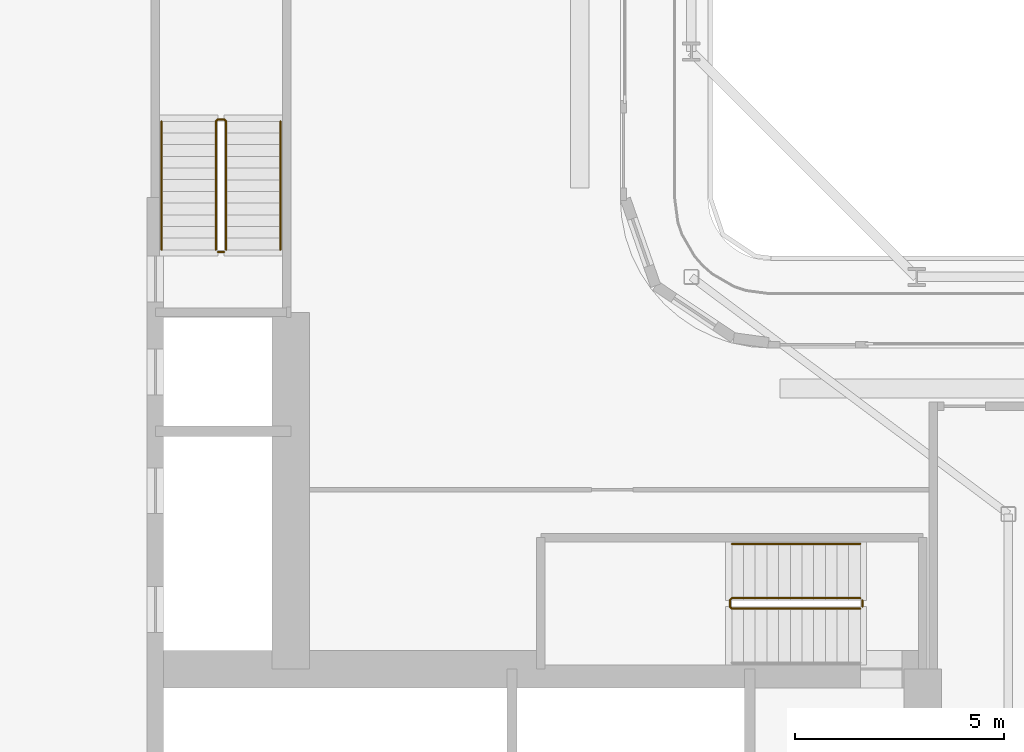
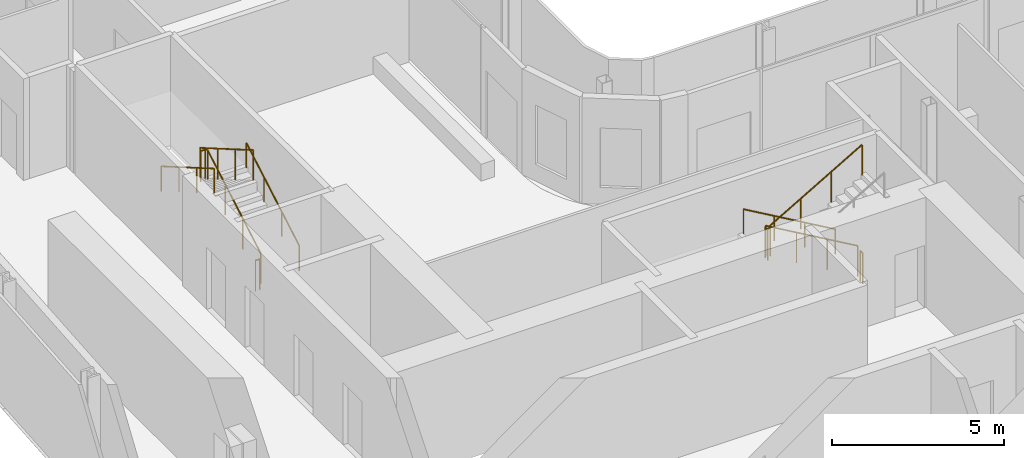
# One storey, part 21 of 26: 7 railings.
"""IFC4 building model written with IfcOpenShell, lengths in metres."""

import ifcopenshell
import ifcopenshell.guid

model = None  # the IFC model being written
_history = None  # IfcOwnerHistory: only IFC2X3 demands one
_inside = {}  # id of a spatial element -> (the spatial element, [elements in it])
_under = {}  # id of a project, library or spatial element -> (it, [spatial elements below it])
_declared = {}  # id of a project -> (the project, [libraries it declares])
_typed = {}  # id of a type object -> (the type object, [elements of that type])
_made_of = {}  # id of a material, layer set ... -> (it, [elements and type objects made of it])


def new_model(schema):
    """Start an empty IFC model of exactly this schema.

    Asked for "IFC4X3", IfcOpenShell would pick the latest addendum, in which some entities
    have other attributes; the version numbers below select the first issue.
    IFC2X3 requires an IfcOwnerHistory on every rooted entity: one is made here for all.
    """
    global model, _history
    if schema == "IFC4X3":
        model = ifcopenshell.file(schema_version=(4, 3, 0, 0))
    else:
        model = ifcopenshell.file(schema=schema)
    _inside.clear()
    _under.clear()
    _declared.clear()
    _typed.clear()
    _made_of.clear()
    _history = None
    if model.schema == "IFC2X3":
        org = make("IfcOrganization", Name="unknown")
        user = make(
            "IfcPersonAndOrganization",
            ThePerson=make("IfcPerson", FamilyName="unknown"),
            TheOrganization=org,
        )
        app = make(
            "IfcApplication",
            ApplicationDeveloper=org,
            Version="unknown",
            ApplicationFullName="unknown",
            ApplicationIdentifier="unknown",
        )
        _history = make(
            "IfcOwnerHistory",
            OwningUser=user,
            OwningApplication=app,
            ChangeAction="ADDED",
            CreationDate=0,
        )
    return model


def make(cls, **values):
    """One entity of the class cls with the attributes given. An attribute that is None is left unset."""
    return model.create_entity(
        cls, **{name: value for name, value in values.items() if value is not None}
    )


def rooted(cls, **values):
    """An entity with a GlobalId (a new one), such as an element, a storey or a relation."""
    return make(cls, GlobalId=ifcopenshell.guid.new(), OwnerHistory=_history, **values)


def si_unit(unit_type, name, prefix=None):
    """IfcSIUnit, for example si_unit("LENGTHUNIT", "METRE", prefix="MILLI")."""
    return make("IfcSIUnit", UnitType=unit_type, Prefix=prefix, Name=name)


def assignment(units):
    """IfcUnitAssignment: the units of a project."""
    return None if units is None else make("IfcUnitAssignment", Units=units)


def point(xyz):
    """IfcCartesianPoint."""
    return None if xyz is None else make("IfcCartesianPoint", Coordinates=xyz)


def direction(xyz):
    """IfcDirection."""
    return None if xyz is None else make("IfcDirection", DirectionRatios=xyz)


def frame(location, z_axis=None, x_axis=None):
    """IfcAxis2Placement3D, a coordinate frame: its origin and axes. An axis left out is left unset."""
    return make(
        "IfcAxis2Placement3D",
        Location=point(location),
        Axis=direction(z_axis),
        RefDirection=direction(x_axis),
    )


def frame_2d(location, x_axis=None):
    """IfcAxis2Placement2D, a coordinate frame in the plane: its origin and x axis."""
    return make(
        "IfcAxis2Placement2D", Location=point(location), RefDirection=direction(x_axis)
    )


def origin():
    """The frame at (0, 0, 0) with its axes left unset."""
    return frame((0.0, 0.0, 0.0))


def origin_2d():
    """The frame at (0, 0) in the plane with its x axis left unset."""
    return frame_2d((0.0, 0.0))


def place(relative_to, where):
    """IfcLocalPlacement: puts the frame where relative to a parent placement (None: the world)."""
    return make(
        "IfcLocalPlacement", PlacementRelTo=relative_to, RelativePlacement=where
    )


def context(
    kind, dimensions, precision=None, world=None, true_north=None, identifier=None
):
    """IfcGeometricRepresentationContext, for example the 3D "Model" context."""
    return make(
        "IfcGeometricRepresentationContext",
        ContextIdentifier=identifier,
        ContextType=kind,
        CoordinateSpaceDimension=dimensions,
        Precision=precision,
        WorldCoordinateSystem=world,
        TrueNorth=true_north,
    )


def subcontext(parent, identifier, kind, view, scale=None):
    """IfcGeometricRepresentationSubContext, for example "Body" below "Model"."""
    return make(
        "IfcGeometricRepresentationSubContext",
        ContextIdentifier=identifier,
        ContextType=kind,
        ParentContext=parent,
        TargetScale=scale,
        TargetView=view,
    )


def project(units=None, contexts=None):
    """IfcProject with its units and contexts."""
    return rooted(
        "IfcProject",
        Name="project",
        RepresentationContexts=contexts,
        UnitsInContext=assignment(units),
    )


def spatial(cls, under=None, at=None, **own):
    """A site, building, storey or space (cls), placed at a placement, below another one or the project."""
    s = rooted(cls, ObjectPlacement=at, **own)
    if under is not None:
        _under.setdefault(under.id(), (under, []))[1].append(s)
    return s


def profile(cls, at=None, kind="AREA", **sizes):
    """A parametric profile (cls). Its sizes go by their IFC names, for example OverallWidth=200.0."""
    return make(cls, ProfileType=kind, Position=at, **sizes)


def circle(**sizes):
    """IfcCircleProfileDef."""
    return profile("IfcCircleProfileDef", **sizes)


def extrude(swept, where, along, depth):
    """IfcExtrudedAreaSolid: the profile swept, set in the frame where, extruded along a direction by depth."""
    return make(
        "IfcExtrudedAreaSolid",
        SweptArea=swept,
        Position=where,
        ExtrudedDirection=direction(along),
        Depth=depth,
    )


def shape(context_of_items, identifier, shape_type, items):
    """IfcShapeRepresentation: the items that make up one representation, for example the "Body"."""
    return make(
        "IfcShapeRepresentation",
        ContextOfItems=context_of_items,
        RepresentationIdentifier=identifier,
        RepresentationType=shape_type,
        Items=items,
    )


def material(Name=None, Category=None):
    """IfcMaterial."""
    return make("IfcMaterial", Name=Name, Category=Category)


def made_of(thing, what):
    """Note that an element or type object is made of a material, layer set ...; save() writes the relation."""
    if what is not None:
        _made_of.setdefault(what.id(), (what, []))[1].append(thing)
    return thing


def type_object(cls, material=None, **own):
    """A type object (cls), such as IfcWallType, which elements share."""
    return made_of(rooted(cls, **own), material)


def element(
    cls,
    number,
    at=None,
    inside=None,
    cuts=None,
    type_object=None,
    material=None,
    context=None,
    identifier="Body",
    shape_type=None,
    held_by="IfcProductDefinitionShape",
    body=None,
    shapes=None,
    **own,
):
    """One element of the class cls, such as IfcWall. Its Tag is "e" and its number.

    at: its placement. inside: the storey or other place that contains it. cuts: it is an
    opening in that element (IfcRelVoidsElement). A single representation is given by context,
    identifier, shape_type and body (its items); several are given by shapes. held_by: the class
    of the entity that holds the representations. save() writes the other relations.
    """
    e = rooted(cls, Tag="e%d" % number, ObjectPlacement=at, **own)
    if body is not None:
        shapes = [shape(context, identifier, shape_type, body)]
    if shapes is not None:
        e.Representation = make(held_by, Representations=shapes)
    if inside is not None:
        _inside.setdefault(inside.id(), (inside, []))[1].append(e)
    if cuts is not None:
        rooted(
            "IfcRelVoidsElement", RelatingBuildingElement=cuts, RelatedOpeningElement=e
        )
    if type_object is not None:
        _typed.setdefault(type_object.id(), (type_object, []))[1].append(e)
    return made_of(e, material)


def aggregate(whole, parts):
    """IfcRelAggregates: a whole, such as a stair, and the parts it consists of."""
    return rooted("IfcRelAggregates", RelatingObject=whole, RelatedObjects=parts)


def save(model, path):
    """Write the relations noted so far, then the file.

    IfcRelAggregates (storeys below a building ...), IfcRelContainedInSpatialStructure (elements
    in a storey), IfcRelDefinesByType, IfcRelAssociatesMaterial and IfcRelDeclares: one each for
    every whole, place, type object, material and project.
    """
    for whole, parts in _under.values():
        aggregate(whole, parts)
    for where, things in _inside.values():
        rooted(
            "IfcRelContainedInSpatialStructure",
            RelatedElements=things,
            RelatingStructure=where,
        )
    for kind, things in _typed.values():
        rooted("IfcRelDefinesByType", RelatedObjects=things, RelatingType=kind)
    for what, things in _made_of.values():
        rooted("IfcRelAssociatesMaterial", RelatedObjects=things, RelatingMaterial=what)
    for by, libraries in _declared.values():
        rooted("IfcRelDeclares", RelatingContext=by, RelatedDefinitions=libraries)
    model.write(path)


model = new_model("IFC4")

# Units and contexts
model_context = context("Model", 3, precision=1e-05, world=origin(), true_north=direction((0.0, 1.0)))
body_context = subcontext(model_context, "Body", "Model", "MODEL_VIEW")
ifc_project = project(units=[si_unit("LENGTHUNIT", "METRE"), si_unit("AREAUNIT", "SQUARE_METRE"), si_unit("VOLUMEUNIT", "CUBIC_METRE"), si_unit("PLANEANGLEUNIT", "RADIAN"), si_unit("MASSUNIT", "GRAM", prefix="KILO")], contexts=[model_context])

# Site, building, storey
site_placement = place(None, origin())
site = spatial("IfcSite", under=ifc_project, at=site_placement, CompositionType="ELEMENT")
building_placement = place(site_placement, origin())
building = spatial("IfcBuilding", under=site, at=building_placement, Name="Kheshtan School and Residences Tower", CompositionType="ELEMENT")
storey_placement = place(building_placement, frame((0.0, 0.0, 105.800048828125)))
storey = spatial("IfcBuildingStorey", under=building, at=storey_placement, Name="L24", CompositionType="ELEMENT", Elevation=105.800048828125)

# Railings
ifc_material_1 = material(Name="Stainless steel balustrade", Category="steel")
railing_type_1 = type_object("IfcRailingType", Name="Stair guard 1100", PredefinedType="GUARDRAIL", material=ifc_material_1)
railing_1_placement = place(storey_placement, frame((51.64990234375, 37.89990234375, 0.162353515625)))
element("IfcRailing", 1, at=railing_1_placement, inside=storey, type_object=railing_type_1, Name="L24 ST1 stair guard 1", PredefinedType="GUARDRAIL", context=body_context, shape_type="SweptSolid", body=[
    extrude(circle(Radius=0.02392578125, at=origin_2d()), frame((0.0, 0.0, 1.076171875), z_axis=(-0.864873446163, 0.0, 0.501989962173), x_axis=(0.0, -1.0, 0.0)), (0.0, 0.0, 1.0), 3.56103515625),
    extrude(circle(Radius=0.02392578125, at=origin_2d()), frame((-3.079833984375, 0.0, 2.86376953125), z_axis=(-0.708833529934, -0.705375805398, 0.0), x_axis=(0.705375805398, -0.708833529934, 0.0)), (0.0, 0.0, 1.0), 0.070556640625),
    extrude(circle(Radius=0.02392578125, at=origin_2d()), frame((-3.1298828125, -0.0498046875, 2.86376953125), z_axis=(0.0, -1.0, 0.0), x_axis=(1.0, 0.0, 0.0)), (0.0, 0.0, 1.0), 0.150146484375),
    extrude(circle(Radius=0.02392578125, at=origin_2d()), frame((-3.1298828125, -0.199951171875, 2.86376953125), z_axis=(0.282227285176, -0.282227285176, 0.916894497205), x_axis=(0.707106781187, 0.707106781187, 0.0)), (0.0, 0.0, 1.0), 0.17724609375),
    extrude(circle(Radius=0.02392578125, at=origin_2d()), frame((-3.079833984375, -0.25, 3.0263671875), z_axis=(0.864903211148, 0.0, 0.501938676878), x_axis=(0.0, 1.0, 0.0)), (0.0, 0.0, 1.0), 3.560791015625),
    extrude(circle(Radius=0.02099609375, at=origin_2d()), origin(), (0.0, 0.0, 1.0), 1.052001953125),
    extrude(circle(Radius=0.02099609375, at=origin_2d()), frame((-1.026611328125, 0.0, 0.595947265625)), (0.0, 0.0, 1.0), 1.052001953125),
    extrude(circle(Radius=0.02099609375, at=origin_2d()), frame((-2.05322265625, 0.0, 1.191650390625)), (0.0, 0.0, 1.0), 1.052001953125),
    extrude(circle(Radius=0.02099609375, at=origin_2d()), frame((-3.079833984375, 0.0, 1.78759765625)), (0.0, 0.0, 1.0), 1.052001953125),
    extrude(circle(Radius=0.02099609375, at=origin_2d()), frame((-3.1298828125, -0.0498046875, 1.78759765625)), (0.0, 0.0, 1.0), 1.052001953125),
    extrude(circle(Radius=0.02099609375, at=origin_2d()), frame((-3.1298828125, -0.199951171875, 1.78759765625)), (0.0, 0.0, 1.0), 1.052001953125),
    extrude(circle(Radius=0.02099609375, at=origin_2d()), frame((-3.079833984375, -0.25, 1.9501953125)), (0.0, 0.0, 1.0), 1.052001953125),
    extrude(circle(Radius=0.02099609375, at=origin_2d()), frame((-2.05322265625, -0.25, 2.5458984375)), (0.0, 0.0, 1.0), 1.052001953125),
    extrude(circle(Radius=0.02099609375, at=origin_2d()), frame((-1.026611328125, -0.25, 3.141845703125)), (0.0, 0.0, 1.0), 1.052001953125),
    extrude(circle(Radius=0.02099609375, at=origin_2d()), frame((0.0, -0.25, 3.737548828125)), (0.0, 0.0, 1.0), 1.052001953125),
])
railing_2_placement = place(storey_placement, frame((51.699951171875, 37.85009765625, 0.0)))
element("IfcRailing", 2, at=railing_2_placement, inside=storey, type_object=railing_type_1, Name="L24 ST1 stair guard 2", PredefinedType="GUARDRAIL", context=body_context, shape_type="SweptSolid", body=[
    extrude(circle(Radius=0.02392578125, at=origin_2d()), frame((0.0, 0.0, 1.076171875), z_axis=(0.0, -1.0, 0.0), x_axis=(1.0, 0.0, 0.0)), (0.0, 0.0, 1.0), 0.150146484375),
    extrude(circle(Radius=0.02099609375, at=origin_2d()), origin(), (0.0, 0.0, 1.0), 1.052001953125),
    extrude(circle(Radius=0.02099609375, at=origin_2d()), frame((0.0, -0.150146484375, 0.0)), (0.0, 0.0, 1.0), 1.052001953125),
])
railing_3_placement = place(storey_placement, frame((36.449951171875, 46.25, 0.162353515625)))
element("IfcRailing", 3, at=railing_3_placement, inside=storey, type_object=railing_type_1, Name="L24 ST2 stair guard 1", PredefinedType="GUARDRAIL", context=body_context, shape_type="SweptSolid", body=[
    extrude(circle(Radius=0.02392578125, at=origin_2d()), frame((0.0, 0.0, 1.076171875), z_axis=(0.0, 0.864890721111, 0.501960198159), x_axis=(-1.0, 0.0, 0.0)), (0.0, 0.0, 1.0), 3.561279296875),
    extrude(circle(Radius=0.02392578125, at=origin_2d()), frame((0.0, 3.080078125, 2.86376953125), z_axis=(-0.708833529934, 0.705375805398, 0.0), x_axis=(-0.705375805398, -0.708833529934, 0.0)), (0.0, 0.0, 1.0), 0.070556640625),
    extrude(circle(Radius=0.02392578125, at=origin_2d()), frame((-0.050048828125, 3.1298828125, 2.86376953125), z_axis=(-1.0, 0.0, 0.0), x_axis=(0.0, -1.0, 0.0)), (0.0, 0.0, 1.0), 0.14990234375),
    extrude(circle(Radius=0.02392578125, at=origin_2d()), frame((-0.199951171875, 3.1298828125, 2.86376953125), z_axis=(-0.282336740067, -0.280959487676, 0.917250092119), x_axis=(0.705375805398, -0.708833529934, 0.0)), (0.0, 0.0, 1.0), 0.17724609375),
    extrude(circle(Radius=0.02392578125, at=origin_2d()), frame((-0.25, 3.080078125, 3.0263671875), z_axis=(0.0, -0.864920483161, 0.501908913857), x_axis=(1.0, 0.0, 0.0)), (0.0, 0.0, 1.0), 3.56103515625),
    extrude(circle(Radius=0.02099609375, at=origin_2d()), origin(), (0.0, 0.0, 1.0), 1.052001953125),
    extrude(circle(Radius=0.02099609375, at=origin_2d()), frame((0.0, 1.026611328125, 0.595947265625)), (0.0, 0.0, 1.0), 1.052001953125),
    extrude(circle(Radius=0.02099609375, at=origin_2d()), frame((0.0, 2.053466796875, 1.191650390625)), (0.0, 0.0, 1.0), 1.052001953125),
    extrude(circle(Radius=0.02099609375, at=origin_2d()), frame((0.0, 3.080078125, 1.78759765625)), (0.0, 0.0, 1.0), 1.052001953125),
    extrude(circle(Radius=0.02099609375, at=origin_2d()), frame((-0.050048828125, 3.1298828125, 1.78759765625)), (0.0, 0.0, 1.0), 1.052001953125),
    extrude(circle(Radius=0.02099609375, at=origin_2d()), frame((-0.199951171875, 3.1298828125, 1.78759765625)), (0.0, 0.0, 1.0), 1.052001953125),
    extrude(circle(Radius=0.02099609375, at=origin_2d()), frame((-0.25, 3.080078125, 1.9501953125)), (0.0, 0.0, 1.0), 1.052001953125),
    extrude(circle(Radius=0.02099609375, at=origin_2d()), frame((-0.25, 2.053466796875, 2.5458984375)), (0.0, 0.0, 1.0), 1.052001953125),
    extrude(circle(Radius=0.02099609375, at=origin_2d()), frame((-0.25, 1.026611328125, 3.141845703125)), (0.0, 0.0, 1.0), 1.052001953125),
    extrude(circle(Radius=0.02099609375, at=origin_2d()), frame((-0.25, 0.0, 3.737548828125)), (0.0, 0.0, 1.0), 1.052001953125),
])
railing_4_placement = place(storey_placement, frame((36.39990234375, 46.199951171875, 0.0)))
element("IfcRailing", 4, at=railing_4_placement, inside=storey, type_object=railing_type_1, Name="L24 ST2 stair guard 2", PredefinedType="GUARDRAIL", context=body_context, shape_type="SweptSolid", body=[
    extrude(circle(Radius=0.02392578125, at=origin_2d()), frame((0.0, 0.0, 1.076171875), z_axis=(-1.0, 0.0, 0.0), x_axis=(0.0, -1.0, 0.0)), (0.0, 0.0, 1.0), 0.14990234375),
    extrude(circle(Radius=0.02099609375, at=origin_2d()), origin(), (0.0, 0.0, 1.0), 1.052001953125),
    extrude(circle(Radius=0.02099609375, at=origin_2d()), frame((-0.14990234375, 0.0, 0.0)), (0.0, 0.0, 1.0), 1.052001953125),
])
ifc_material_2 = material(Name="Stainless steel handrail", Category="steel")
railing_type_2 = type_object("IfcRailingType", Name="Stair handrail 900", PredefinedType="HANDRAIL", material=ifc_material_2)
railing_5_placement = place(storey_placement, frame((51.64990234375, 39.199951171875, 0.162353515625)))
element("IfcRailing", 5, at=railing_5_placement, inside=storey, type_object=railing_type_2, Name="L24 ST1 stair handrail 1", PredefinedType="HANDRAIL", context=body_context, shape_type="SweptSolid", body=[
    extrude(circle(Radius=0.02392578125, at=origin_2d()), frame((0.0, 0.0, 0.8759765625), z_axis=(-0.864873446163, 0.0, 0.501989962173), x_axis=(0.0, -1.0, 0.0)), (0.0, 0.0, 1.0), 3.56103515625),
    extrude(circle(Radius=0.02099609375, at=origin_2d()), origin(), (0.0, 0.0, 1.0), 0.851806640625),
    extrude(circle(Radius=0.02099609375, at=origin_2d()), frame((-1.026611328125, 0.0, 0.595947265625)), (0.0, 0.0, 1.0), 0.851806640625),
    extrude(circle(Radius=0.02099609375, at=origin_2d()), frame((-2.05322265625, 0.0, 1.191650390625)), (0.0, 0.0, 1.0), 0.851806640625),
    extrude(circle(Radius=0.02099609375, at=origin_2d()), frame((-3.079833984375, 0.0, 1.78759765625)), (0.0, 0.0, 1.0), 0.851806640625),
])
railing_6_placement = place(storey_placement, frame((37.75, 46.25, 0.162353515625)))
element("IfcRailing", 6, at=railing_6_placement, inside=storey, type_object=railing_type_2, Name="L24 ST2 stair handrail 1", PredefinedType="HANDRAIL", context=body_context, shape_type="SweptSolid", body=[
    extrude(circle(Radius=0.02392578125, at=origin_2d()), frame((0.0, 0.0, 0.8759765625), z_axis=(0.0, 0.864890721111, 0.501960198159), x_axis=(-1.0, 0.0, 0.0)), (0.0, 0.0, 1.0), 3.561279296875),
    extrude(circle(Radius=0.02099609375, at=origin_2d()), origin(), (0.0, 0.0, 1.0), 0.851806640625),
    extrude(circle(Radius=0.02099609375, at=origin_2d()), frame((0.0, 1.026611328125, 0.595947265625)), (0.0, 0.0, 1.0), 0.851806640625),
    extrude(circle(Radius=0.02099609375, at=origin_2d()), frame((0.0, 2.053466796875, 1.191650390625)), (0.0, 0.0, 1.0), 0.851806640625),
    extrude(circle(Radius=0.02099609375, at=origin_2d()), frame((0.0, 3.080078125, 1.78759765625)), (0.0, 0.0, 1.0), 0.851806640625),
])
railing_7_placement = place(storey_placement, frame((34.89990234375, 49.330078125, 2.112548828125)))
element("IfcRailing", 7, at=railing_7_placement, inside=storey, type_object=railing_type_2, Name="L24 ST2 stair handrail 2", PredefinedType="HANDRAIL", context=body_context, shape_type="SweptSolid", body=[
    extrude(circle(Radius=0.02392578125, at=origin_2d()), frame((0.0, 0.0, 0.8759765625), z_axis=(0.0, -0.864920483161, 0.501908913857), x_axis=(1.0, 0.0, 0.0)), (0.0, 0.0, 1.0), 3.56103515625),
    extrude(circle(Radius=0.02099609375, at=origin_2d()), origin(), (0.0, 0.0, 1.0), 0.851806640625),
    extrude(circle(Radius=0.02099609375, at=origin_2d()), frame((0.0, -1.026611328125, 0.595703125)), (0.0, 0.0, 1.0), 0.851806640625),
    extrude(circle(Radius=0.02099609375, at=origin_2d()), frame((0.0, -2.053466796875, 1.191650390625)), (0.0, 0.0, 1.0), 0.851806640625),
    extrude(circle(Radius=0.02099609375, at=origin_2d()), frame((0.0, -3.080078125, 1.787353515625)), (0.0, 0.0, 1.0), 0.851806640625),
])

save(model, "model.ifc")
